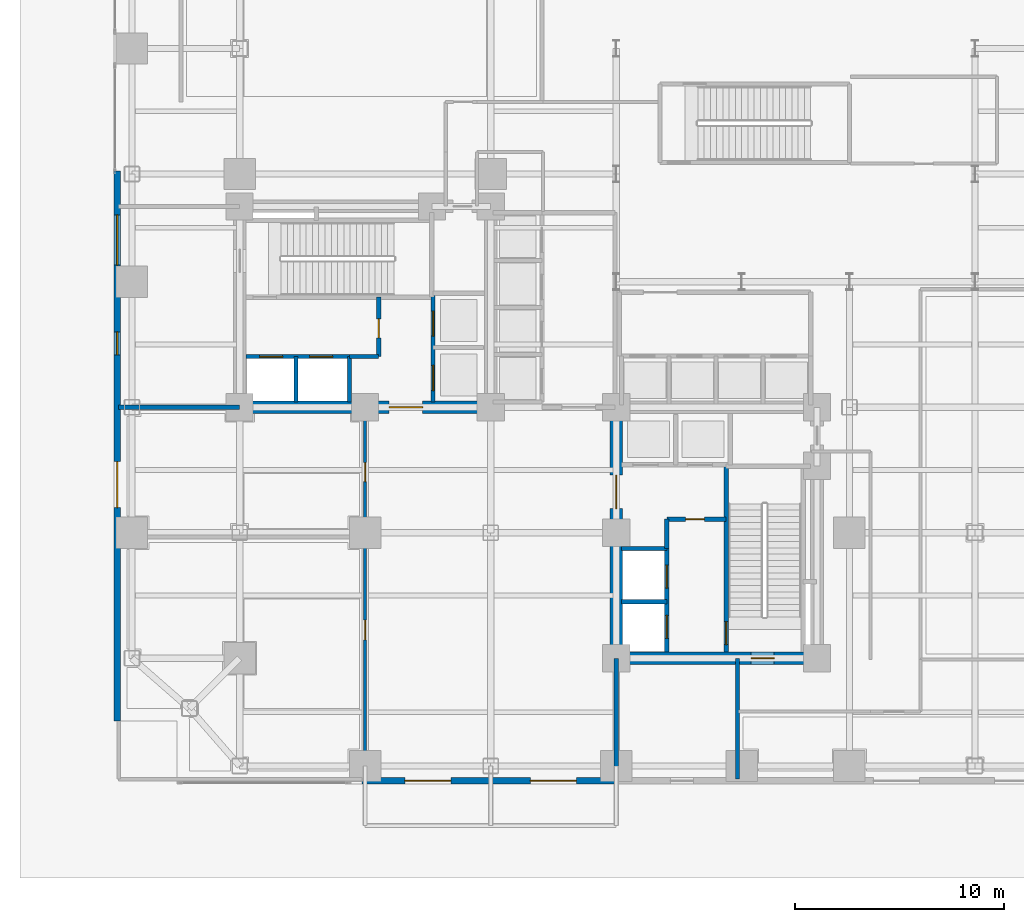
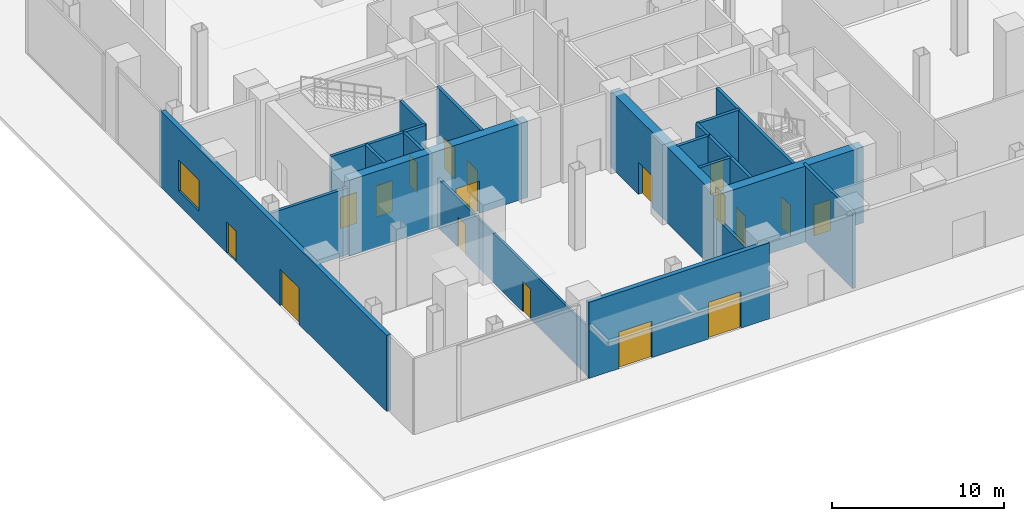
# One storey, part 18 of 27: 21 walls, 18 doors, 1 window, 19 openings.
"""IFC4 building model written with IfcOpenShell, lengths in metres."""

from ifc_helpers import new_model, si_unit, direction, frame, frame_2d, origin, place, context, subcontext, project, spatial, rectangle, extrude, material, layer, layer_set, type_object, element, fill, save


model = new_model("IFC4")

# Units and contexts
model_context = context("Model", 3, precision=1e-05, world=origin(), true_north=direction((0.0, 1.0)))
body_context = subcontext(model_context, "Body", "Model", "MODEL_VIEW")
ifc_project = project(units=[si_unit("LENGTHUNIT", "METRE"), si_unit("AREAUNIT", "SQUARE_METRE"), si_unit("VOLUMEUNIT", "CUBIC_METRE"), si_unit("PLANEANGLEUNIT", "RADIAN"), si_unit("MASSUNIT", "GRAM", prefix="KILO"), si_unit("THERMODYNAMICTEMPERATUREUNIT", "KELVIN"), si_unit("POWERUNIT", "WATT")], contexts=[model_context])

# Site, building, storey
site_placement = place(None, origin())
site = spatial("IfcSite", under=ifc_project, at=site_placement, CompositionType="ELEMENT")
building_placement = place(site_placement, origin())
building = spatial("IfcBuilding", under=site, at=building_placement, Name="Svarakhadi Broadcast Tower", CompositionType="ELEMENT")
storey_placement = place(building_placement, origin())
storey = spatial("IfcBuildingStorey", under=building, at=storey_placement, Name="L00", CompositionType="ELEMENT", Elevation=0.0)

# Wall, openings, doors
ifc_material_1 = material(Name="Concrete C40/50 (IS 456 M50)", Category="concrete")
ifc_layer_1 = layer(ifc_material_1, 0.300048828125)
ifc_layer_set_1 = layer_set([ifc_layer_1], Name="Concrete C40/50 (IS 456 M50)")
wall_type_1 = type_object("IfcWallType", Name="Wall_Ext_300", PredefinedType="SOLIDWALL", material=ifc_layer_set_1)
wall_1_placement = place(storey_placement, frame((24.0, 0.14990234375, 0.0), z_axis=(0.0, 0.0, 1.0), x_axis=(-1.0, 0.0, 0.0)))
wall_1 = element("IfcWall", 1, at=wall_1_placement, inside=storey, type_object=wall_type_1, Name="L00 South Main Broadcast Arrival Portal Wall", PredefinedType="SOLIDWALL", context=body_context, shape_type="SweptSolid", body=[
    extrude(rectangle(XDim=12.14501953125, YDim=0.300048828125, at=frame_2d((6.072509765625, 0.0))), origin(), (0.0, 0.0, 1.0), 5.39990234375),
])
opening_1_placement = place(wall_1_placement, frame((1.89990234375, 0.0, 0.0)))
opening_1 = element("IfcOpeningElement", 2, at=opening_1_placement, cuts=wall_1, Name="Opening ED-01", PredefinedType="OPENING", context=body_context, shape_type="SweptSolid", body=[
    extrude(rectangle(XDim=2.199951171875, YDim=2.60009765625, at=frame_2d((1.10009765625, 1.300048828125))), frame((0.0, 0.159912109375, 0.0), z_axis=(0.0, -1.0, 0.0), x_axis=(1.0, 0.0, 0.0)), (0.0, 0.0, 1.0), 0.320068359375),
])
opening_2_placement = place(wall_1_placement, frame((7.89990234375, 0.0, 0.0)))
opening_2 = element("IfcOpeningElement", 3, at=opening_2_placement, cuts=wall_1, Name="Opening ED-01", PredefinedType="OPENING", context=body_context, shape_type="SweptSolid", body=[
    extrude(rectangle(XDim=2.199951171875, YDim=2.60009765625, at=frame_2d((1.10009765625, 1.300048828125))), frame((0.0, 0.159912109375, 0.0), z_axis=(0.0, -1.0, 0.0), x_axis=(1.0, 0.0, 0.0)), (0.0, 0.0, 1.0), 0.320068359375),
])
ifc_material_2 = material(Name="Anodised Bronze Aluminium AA 6063-T6", Category="aluminium")
door_type_1 = type_object("IfcDoorType", Name="Door_Ext_ED01", OperationType="DOUBLE_DOOR_SINGLE_SWING", PredefinedType="DOOR", material=ifc_material_2)
door_1_placement = place(opening_1_placement, origin())
door_1 = element("IfcDoor", 4, at=door_1_placement, inside=storey, type_object=door_type_1, Name="Main Broadcast Concourse Arrival Entrance Door East", OperationType="DOUBLE_DOOR_SINGLE_SWING", OverallHeight=2.60009765625, OverallWidth=2.199951171875, PredefinedType="DOOR", context=body_context, shape_type="SweptSolid", body=[
    extrude(rectangle(XDim=2.199951171875, YDim=2.60009765625, at=frame_2d((1.10009765625, 1.300048828125))), frame((0.0, 0.02490234375, 0.0), z_axis=(0.0, -1.0, 0.0), x_axis=(1.0, 0.0, 0.0)), (0.0, 0.0, 1.0), 0.050048828125),
])
fill(opening_1, door_1)
door_2_placement = place(opening_2_placement, origin())
door_2 = element("IfcDoor", 5, at=door_2_placement, inside=storey, type_object=door_type_1, Name="Main Broadcast Concourse Arrival Entrance Door West", OperationType="DOUBLE_DOOR_SINGLE_SWING", OverallHeight=2.60009765625, OverallWidth=2.199951171875, PredefinedType="DOOR", context=body_context, shape_type="SweptSolid", body=[
    extrude(rectangle(XDim=2.199951171875, YDim=2.60009765625, at=frame_2d((1.10009765625, 1.300048828125))), frame((0.0, 0.02490234375, 0.0), z_axis=(0.0, -1.0, 0.0), x_axis=(1.0, 0.0, 0.0)), (0.0, 0.0, 1.0), 0.050048828125),
])
fill(opening_2, door_2)

# Wall, openings, doors, window
wall_2_placement = place(storey_placement, frame((0.14990234375, 3.0, 0.0), z_axis=(0.0, 0.0, 1.0), x_axis=(0.0, 1.0, 0.0)))
wall_2 = element("IfcWall", 6, at=wall_2_placement, inside=storey, type_object=wall_type_1, Name="L00 West Street Exit Discharge Wall", PredefinedType="SOLIDWALL", context=body_context, shape_type="SweptSolid", body=[
    extrude(rectangle(XDim=26.294921875, YDim=0.300048828125, at=frame_2d((13.1474609375, 0.0))), origin(), (0.0, 0.0, 1.0), 5.39990234375),
])
opening_3_placement = place(wall_2_placement, frame((10.199951171875, 0.0, 0.0)))
opening_3 = element("IfcOpeningElement", 7, at=opening_3_placement, cuts=wall_2, Name="Opening ED-01", PredefinedType="OPENING", context=body_context, shape_type="SweptSolid", body=[
    extrude(rectangle(XDim=2.199951171875, YDim=2.60009765625, at=frame_2d((1.10009765625, 1.300048828125))), frame((0.0, 0.159912109375, 0.0), z_axis=(0.0, -1.0, 0.0), x_axis=(1.0, 0.0, 0.0)), (0.0, 0.0, 1.0), 0.320068359375),
])
opening_4_placement = place(wall_2_placement, frame((17.5, 0.0, 0.0)))
opening_4 = element("IfcOpeningElement", 8, at=opening_4_placement, cuts=wall_2, Name="Opening ED-04", PredefinedType="OPENING", context=body_context, shape_type="SweptSolid", body=[
    extrude(rectangle(XDim=1.10009765625, YDim=2.199951171875, at=frame_2d((0.550048828125, 1.10009765625))), frame((0.0, 0.159912109375, 0.0), z_axis=(0.0, -1.0, 0.0), x_axis=(1.0, 0.0, 0.0)), (0.0, 0.0, 1.0), 0.320068359375),
])
opening_5_placement = place(wall_2_placement, frame((21.800048828125, 0.0, 1.0)))
opening_5 = element("IfcOpeningElement", 9, at=opening_5_placement, cuts=wall_2, Name="Opening WN-01", PredefinedType="OPENING", context=body_context, shape_type="SweptSolid", body=[
    extrude(rectangle(XDim=2.39990234375, YDim=2.199951171875, at=frame_2d((1.199951171875, 1.10009765625))), frame((0.0, 0.159912109375, 0.0), z_axis=(0.0, -1.0, 0.0), x_axis=(1.0, 0.0, 0.0)), (0.0, 0.0, 1.0), 0.320068359375),
])
door_3_placement = place(opening_3_placement, origin())
door_3 = element("IfcDoor", 10, at=door_3_placement, inside=storey, type_object=door_type_1, Name="West Press Reception Street Exit Door", OperationType="DOUBLE_DOOR_SINGLE_SWING", OverallHeight=2.60009765625, OverallWidth=2.199951171875, PredefinedType="DOOR", context=body_context, shape_type="SweptSolid", body=[
    extrude(rectangle(XDim=2.199951171875, YDim=2.60009765625, at=frame_2d((1.10009765625, 1.300048828125))), frame((0.0, 0.02490234375, 0.0), z_axis=(0.0, -1.0, 0.0), x_axis=(1.0, 0.0, 0.0)), (0.0, 0.0, 1.0), 0.050048828125),
])
fill(opening_3, door_3)
door_type_2 = type_object("IfcDoorType", Name="Door_Ext_ED04", OperationType="SINGLE_SWING_RIGHT", PredefinedType="DOOR", material=ifc_material_2)
door_4_placement = place(opening_4_placement, origin())
door_4 = element("IfcDoor", 11, at=door_4_placement, inside=storey, type_object=door_type_2, Name="West Core Stair ST-01 Final Street Exit Door", OperationType="SINGLE_SWING_RIGHT", OverallHeight=2.199951171875, OverallWidth=1.10009765625, PredefinedType="DOOR", context=body_context, shape_type="SweptSolid", body=[
    extrude(rectangle(XDim=1.10009765625, YDim=2.199951171875, at=frame_2d((0.550048828125, 1.10009765625))), frame((0.0, 0.02490234375, 0.0), z_axis=(0.0, -1.0, 0.0), x_axis=(1.0, 0.0, 0.0)), (0.0, 0.0, 1.0), 0.050048828125),
])
fill(opening_4, door_4)
ifc_material_3 = material(Name="Double Low-E Laminated Acoustic Glass IGU 36 mm", Category="glass")
window_type = type_object("IfcWindowType", Name="Win_Fixed_WN01", PartitioningType="SINGLE_PANEL", PredefinedType="WINDOW", material=ifc_material_3)
window_placement = place(opening_5_placement, origin())
window = element("IfcWindow", 12, at=window_placement, inside=storey, type_object=window_type, Name="L00 West Concourse Fixed Window", OverallHeight=2.199951171875, OverallWidth=2.39990234375, PartitioningType="SINGLE_PANEL", PredefinedType="WINDOW", context=body_context, shape_type="SweptSolid", body=[
    extrude(rectangle(XDim=2.39990234375, YDim=2.199951171875, at=frame_2d((1.199951171875, 1.10009765625))), frame((0.0, 0.030029296875, 0.0), z_axis=(0.0, -1.0, 0.0), x_axis=(1.0, 0.0, 0.0)), (0.0, 0.0, 1.0), 0.06005859375),
])
fill(opening_5, window)

# Walls
ifc_layer_2 = layer(ifc_material_1, 0.199951171875)
ifc_layer_set_2 = layer_set([ifc_layer_2], Name="Concrete C40/50 (IS 456 M50)")
wall_type_2 = type_object("IfcWallType", Name="Wall_Fire_200", PredefinedType="SOLIDWALL", material=ifc_layer_set_2)
wall_3_placement = place(storey_placement, frame((0.219970703125, 18.0, 0.0), z_axis=(0.0, 0.0, 1.0), x_axis=(1.0, 0.0, 0.0)))
element("IfcWall", 13, at=wall_3_placement, inside=storey, type_object=wall_type_2, Name="L00 Exit Passageway West Wall", PredefinedType="SOLIDWALL", context=body_context, shape_type="SweptSolid", body=[
    extrude(rectangle(XDim=5.780029296875, YDim=0.199951171875, at=frame_2d((2.89013671875, 0.0))), origin(), (0.0, 0.0, 1.0), 4.741943359375),
])
wall_4_placement = place(storey_placement, frame((24.0, 0.219970703125, 0.0), z_axis=(0.0, 0.0, 1.0), x_axis=(0.0, 1.0, 0.0)))
element("IfcWall", 14, at=wall_4_placement, inside=storey, type_object=wall_type_2, Name="L00 Exit Passageway East Wall", PredefinedType="SOLIDWALL", context=body_context, shape_type="SweptSolid", body=[
    extrude(rectangle(XDim=5.780029296875, YDim=0.199951171875, at=frame_2d((2.89013671875, 0.0))), origin(), (0.0, 0.0, 1.0), 3.491943359375),
])
wall_5_placement = place(storey_placement, frame((29.800048828125, 0.219970703125, 0.0), z_axis=(0.0, 0.0, 1.0), x_axis=(0.0, 1.0, 0.0)))
element("IfcWall", 15, at=wall_5_placement, inside=storey, type_object=wall_type_2, Name="L00 Exit Passageway East Wall", PredefinedType="SOLIDWALL", context=body_context, shape_type="SweptSolid", body=[
    extrude(rectangle(XDim=5.780029296875, YDim=0.199951171875, at=frame_2d((2.89013671875, 0.0))), origin(), (0.0, 0.0, 1.0), 5.39990234375),
])

# Wall, openings, doors
ifc_material_4 = material(Name="Autoclaved Aerated Concrete Blockwork 150 mm", Category="masonry")
ifc_layer_3 = layer(ifc_material_4, 0.14990234375)
ifc_layer_set_3 = layer_set([ifc_layer_3], Name="Autoclaved Aerated Concrete Blockwork 150 mm")
wall_type_3 = type_object("IfcWallType", Name="Wall_Part_150", PredefinedType="PARTITIONING", material=ifc_layer_set_3)
wall_6_placement = place(storey_placement, frame((12.0, 17.9599609375, 0.0), z_axis=(0.0, 0.0, 1.0), x_axis=(0.0, -1.0, 0.0)))
wall_6 = element("IfcWall", 16, at=wall_6_placement, inside=storey, type_object=wall_type_3, Name="L00 Arrival Foyer West Wall", PredefinedType="PARTITIONING", context=body_context, shape_type="SweptSolid", body=[
    extrude(rectangle(XDim=17.739990234375, YDim=0.14990234375, at=frame_2d((8.8701171875, 0.0))), origin(), (0.0, 0.0, 1.0), 3.491943359375),
])
opening_6_placement = place(wall_6_placement, frame((2.610107421875, 0.0, 0.0)))
opening_6 = element("IfcOpeningElement", 17, at=opening_6_placement, cuts=wall_6, Name="Opening D-04", PredefinedType="OPENING", context=body_context, shape_type="SweptSolid", body=[
    extrude(rectangle(XDim=0.89990234375, YDim=2.14990234375, at=frame_2d((0.449951171875, 1.074951171875))), frame((0.0, 0.0849609375, 0.0), z_axis=(0.0, -1.0, 0.0), x_axis=(1.0, 0.0, 0.0)), (0.0, 0.0, 1.0), 0.169921875),
])
opening_7_placement = place(wall_6_placement, frame((10.135009765625, 0.0, 0.0)))
opening_7 = element("IfcOpeningElement", 18, at=opening_7_placement, cuts=wall_6, Name="Opening D-06", PredefinedType="OPENING", context=body_context, shape_type="SweptSolid", body=[
    extrude(rectangle(XDim=0.949951171875, YDim=2.14990234375, at=frame_2d((0.47509765625, 1.074951171875))), frame((0.0, 0.0849609375, 0.0), z_axis=(0.0, -1.0, 0.0), x_axis=(1.0, 0.0, 0.0)), (0.0, 0.0, 1.0), 0.169921875),
])
ifc_material_5 = material(Name="Galvanised Powder-Coated Fire-Rated Steel Leaf", Category="steel")
door_type_3 = type_object("IfcDoorType", Name="Door_Fire_D04", OperationType="SINGLE_SWING_RIGHT", PredefinedType="DOOR", material=ifc_material_5)
door_5_placement = place(opening_6_placement, origin())
door_5 = element("IfcDoor", 19, at=door_5_placement, inside=storey, type_object=door_type_3, Name="L00 Fire Command and BMS Control Room Door", OperationType="SINGLE_SWING_RIGHT", OverallHeight=2.14990234375, OverallWidth=0.89990234375, PredefinedType="DOOR", context=body_context, shape_type="SweptSolid", body=[
    extrude(rectangle(XDim=0.89990234375, YDim=2.14990234375, at=frame_2d((0.449951171875, 1.074951171875))), frame((0.0, 0.02490234375, 0.0), z_axis=(0.0, -1.0, 0.0), x_axis=(1.0, 0.0, 0.0)), (0.0, 0.0, 1.0), 0.050048828125),
])
fill(opening_6, door_5)
ifc_material_6 = material(Name="Solid-Core Teak Veneer Acoustic Timber Leaf", Category="wood")
door_type_4 = type_object("IfcDoorType", Name="Door_Office_D06", OperationType="SINGLE_SWING_LEFT", PredefinedType="DOOR", material=ifc_material_6)
door_6_placement = place(opening_7_placement, origin())
door_6 = element("IfcDoor", 20, at=door_6_placement, inside=storey, type_object=door_type_4, Name="L00 Accredited Press Reception Lounge Door", OperationType="SINGLE_SWING_LEFT", OverallHeight=2.14990234375, OverallWidth=0.949951171875, PredefinedType="DOOR", context=body_context, shape_type="SweptSolid", body=[
    extrude(rectangle(XDim=0.949951171875, YDim=2.14990234375, at=frame_2d((0.47509765625, 1.074951171875))), frame((0.0, 0.02490234375, 0.0), z_axis=(0.0, -1.0, 0.0), x_axis=(1.0, 0.0, 0.0)), (0.0, 0.0, 1.0), 0.050048828125),
])
fill(opening_7, door_6)

# Wall, opening, door
ifc_material_7 = material(Name="Concrete C50/60 (IS 456 M60)", Category="concrete")
ifc_layer_4 = layer(ifc_material_7, 0.199951171875)
ifc_layer_set_4 = layer_set([ifc_layer_4], Name="Concrete C50/60 (IS 456 M60)")
wall_type_4 = type_object("IfcWallType", Name="Wall_Shear_200", PredefinedType="SHEAR", material=ifc_layer_set_4)
wall_7_placement = place(storey_placement, frame((29.260009765625, 6.300048828125, 0.0), z_axis=(0.0, 0.0, 1.0), x_axis=(0.0, 1.0, 0.0)))
wall_7 = element("IfcWall", 21, at=wall_7_placement, inside=storey, type_object=wall_type_4, Name="L00 Stair ST-02 West RC Shaft Wall", PredefinedType="SHEAR", context=body_context, shape_type="SweptSolid", body=[
    extrude(rectangle(XDim=8.8798828125, YDim=0.199951171875, at=frame_2d((4.43994140625, 0.0))), origin(), (0.0, 0.0, 1.0), 5.39990234375),
])
opening_8_placement = place(wall_7_placement, frame((0.35009765625, 0.0, 0.0)))
opening_8 = element("IfcOpeningElement", 22, at=opening_8_placement, cuts=wall_7, Name="Opening D-02", PredefinedType="OPENING", context=body_context, shape_type="SweptSolid", body=[
    extrude(rectangle(XDim=1.10009765625, YDim=2.199951171875, at=frame_2d((0.550048828125, 1.10009765625))), frame((0.0, 0.10986328125, 0.0), z_axis=(0.0, -1.0, 0.0), x_axis=(1.0, 0.0, 0.0)), (0.0, 0.0, 1.0), 0.219970703125),
])
door_type_5 = type_object("IfcDoorType", Name="Door_Stair_D02", OperationType="SINGLE_SWING_RIGHT", PredefinedType="DOOR", material=ifc_material_5)
door_7_placement = place(opening_8_placement, origin())
door_7 = element("IfcDoor", 23, at=door_7_placement, inside=storey, type_object=door_type_5, Name="L00 Protected Exit Stair ST-02 Fire Door", OperationType="SINGLE_SWING_RIGHT", OverallHeight=2.199951171875, OverallWidth=1.10009765625, PredefinedType="DOOR", context=body_context, shape_type="SweptSolid", body=[
    extrude(rectangle(XDim=1.10009765625, YDim=2.199951171875, at=frame_2d((0.550048828125, 1.10009765625))), frame((0.0, 0.02490234375, 0.0), z_axis=(0.0, -1.0, 0.0), x_axis=(1.0, 0.0, 0.0)), (0.0, 0.0, 1.0), 0.050048828125),
])
fill(opening_8, door_7)

# Wall, openings, doors
wall_8_placement = place(storey_placement, frame((6.300048828125, 20.419921875, 0.0), z_axis=(0.0, 0.0, 1.0), x_axis=(1.0, 0.0, 0.0)))
wall_8 = element("IfcWall", 24, at=wall_8_placement, inside=storey, type_object=wall_type_4, Name="L00 Firefighting Lift LF-01/02 Shaft Wall", PredefinedType="SHEAR", context=body_context, shape_type="SweptSolid", body=[
    extrude(rectangle(XDim=4.949951171875, YDim=0.199951171875, at=frame_2d((2.47509765625, 0.0))), origin(), (0.0, 0.0, 1.0), 5.39990234375),
])
opening_9_placement = place(wall_8_placement, frame((0.64990234375, 0.0, 0.0)))
opening_9 = element("IfcOpeningElement", 25, at=opening_9_placement, cuts=wall_8, Name="Opening LD-01", PredefinedType="OPENING", context=body_context, shape_type="SweptSolid", body=[
    extrude(rectangle(XDim=1.10009765625, YDim=2.199951171875, at=frame_2d((0.550048828125, 1.10009765625))), frame((0.0, 0.10986328125, 0.0), z_axis=(0.0, -1.0, 0.0), x_axis=(1.0, 0.0, 0.0)), (0.0, 0.0, 1.0), 0.219970703125),
])
opening_10_placement = place(wall_8_placement, frame((3.050048828125, 0.0, 0.0)))
opening_10 = element("IfcOpeningElement", 26, at=opening_10_placement, cuts=wall_8, Name="Opening LD-01", PredefinedType="OPENING", context=body_context, shape_type="SweptSolid", body=[
    extrude(rectangle(XDim=1.10009765625, YDim=2.199951171875, at=frame_2d((0.550048828125, 1.10009765625))), frame((0.0, 0.10986328125, 0.0), z_axis=(0.0, -1.0, 0.0), x_axis=(1.0, 0.0, 0.0)), (0.0, 0.0, 1.0), 0.219970703125),
])
door_type_6 = type_object("IfcDoorType", Name="Door_Lift_LD01", OperationType="SLIDING_TO_LEFT", PredefinedType="DOOR", material=ifc_material_5)
door_8_placement = place(opening_9_placement, origin())
door_8 = element("IfcDoor", 27, at=door_8_placement, inside=storey, type_object=door_type_6, Name="L00 Firefighting Lift LF-01 Landing Door", OperationType="SLIDING_TO_LEFT", OverallHeight=2.199951171875, OverallWidth=1.10009765625, PredefinedType="DOOR", context=body_context, shape_type="SweptSolid", body=[
    extrude(rectangle(XDim=1.10009765625, YDim=2.199951171875, at=frame_2d((0.550048828125, 1.10009765625))), frame((0.0, 0.02490234375, 0.0), z_axis=(0.0, -1.0, 0.0), x_axis=(1.0, 0.0, 0.0)), (0.0, 0.0, 1.0), 0.050048828125),
])
fill(opening_9, door_8)
door_9_placement = place(opening_10_placement, origin())
door_9 = element("IfcDoor", 28, at=door_9_placement, inside=storey, type_object=door_type_6, Name="L00 Firefighting Lift LF-02 Landing Door", OperationType="SLIDING_TO_LEFT", OverallHeight=2.199951171875, OverallWidth=1.10009765625, PredefinedType="DOOR", context=body_context, shape_type="SweptSolid", body=[
    extrude(rectangle(XDim=1.10009765625, YDim=2.199951171875, at=frame_2d((0.550048828125, 1.10009765625))), frame((0.0, 0.02490234375, 0.0), z_axis=(0.0, -1.0, 0.0), x_axis=(1.0, 0.0, 0.0)), (0.0, 0.0, 1.0), 0.050048828125),
])
fill(opening_10, door_9)

# Walls
for number, where, z_axis, x_axis, name in (
    (29, (8.699951171875, 18.25, 0.0), (0.0, 0.0, 1.0), (0.0, 1.0, 0.0), "L00 Firefighting Lift LF-01/02 Divider Wall"),
    (30, (11.25, 18.25, 0.0), (0.0, 0.0, 1.0), (0.0, 1.0, 0.0), "L00 Firefighting Lift LF-02 East Wall"),
):
    element("IfcWall", number, at=place(storey_placement, frame(where, z_axis=z_axis, x_axis=x_axis)), inside=storey, type_object=wall_type_4, Name=name, PredefinedType="SHEAR", context=body_context, shape_type="SweptSolid", body=[
        extrude(rectangle(XDim=2.169921875, YDim=0.199951171875, at=frame_2d((1.0849609375, 0.0))), origin(), (0.0, 0.0, 1.0), 5.39990234375),
    ])
wall_9_placement = place(storey_placement, frame((11.25, 20.419921875, 0.0), z_axis=(0.0, 0.0, 1.0), x_axis=(1.0, 0.0, 0.0)))
element("IfcWall", 31, at=wall_9_placement, inside=storey, type_object=wall_type_4, Name="L00 West Firefighting Lobby South Wall", PredefinedType="SHEAR", context=body_context, shape_type="SweptSolid", body=[
    extrude(rectangle(XDim=1.39990234375, YDim=0.199951171875, at=frame_2d((0.699951171875, 0.0))), origin(), (0.0, 0.0, 1.0), 5.39990234375),
])

# Wall, opening, door
wall_10_placement = place(storey_placement, frame((12.64990234375, 20.419921875, 0.0), z_axis=(0.0, 0.0, 1.0), x_axis=(0.0, 1.0, 0.0)))
wall_10 = element("IfcWall", 32, at=wall_10_placement, inside=storey, type_object=wall_type_4, Name="L00 West Firefighting Lobby East Wall", PredefinedType="SHEAR", context=body_context, shape_type="SweptSolid", body=[
    extrude(rectangle(XDim=2.840087890625, YDim=0.199951171875, at=frame_2d((1.419921875, 0.0))), origin(), (0.0, 0.0, 1.0), 5.39990234375),
])
opening_11_placement = place(wall_10_placement, frame((0.89990234375, 0.0, 0.0)))
opening_11 = element("IfcOpeningElement", 33, at=opening_11_placement, cuts=wall_10, Name="Opening D-04", PredefinedType="OPENING", context=body_context, shape_type="SweptSolid", body=[
    extrude(rectangle(XDim=0.89990234375, YDim=2.14990234375, at=frame_2d((0.449951171875, 1.074951171875))), frame((0.0, 0.10986328125, 0.0), z_axis=(0.0, -1.0, 0.0), x_axis=(1.0, 0.0, 0.0)), (0.0, 0.0, 1.0), 0.219970703125),
])
door_10_placement = place(opening_11_placement, origin())
door_10 = element("IfcDoor", 34, at=door_10_placement, inside=storey, type_object=door_type_3, Name="L00 West Firefighting Lobby Fire Door", OperationType="SINGLE_SWING_RIGHT", OverallHeight=2.14990234375, OverallWidth=0.89990234375, PredefinedType="DOOR", context=body_context, shape_type="SweptSolid", body=[
    extrude(rectangle(XDim=0.89990234375, YDim=2.14990234375, at=frame_2d((0.449951171875, 1.074951171875))), frame((0.0, 0.02490234375, 0.0), z_axis=(0.0, -1.0, 0.0), x_axis=(1.0, 0.0, 0.0)), (0.0, 0.0, 1.0), 0.050048828125),
])
fill(opening_11, door_10)

# Wall, openings, doors
wall_11_placement = place(storey_placement, frame((26.419921875, 6.300048828125, 0.0), z_axis=(0.0, 0.0, 1.0), x_axis=(0.0, 1.0, 0.0)))
wall_11 = element("IfcWall", 35, at=wall_11_placement, inside=storey, type_object=wall_type_4, Name="L00 Firefighting Lift LF-03/04 Shaft Wall", PredefinedType="SHEAR", context=body_context, shape_type="SweptSolid", body=[
    extrude(rectangle(XDim=4.949951171875, YDim=0.199951171875, at=frame_2d((2.47509765625, 0.0))), origin(), (0.0, 0.0, 1.0), 5.39990234375),
])
opening_12_placement = place(wall_11_placement, frame((0.64990234375, 0.0, 0.0)))
opening_12 = element("IfcOpeningElement", 36, at=opening_12_placement, cuts=wall_11, Name="Opening LD-01", PredefinedType="OPENING", context=body_context, shape_type="SweptSolid", body=[
    extrude(rectangle(XDim=1.10009765625, YDim=2.199951171875, at=frame_2d((0.550048828125, 1.10009765625))), frame((0.0, 0.10986328125, 0.0), z_axis=(0.0, -1.0, 0.0), x_axis=(1.0, 0.0, 0.0)), (0.0, 0.0, 1.0), 0.219970703125),
])
opening_13_placement = place(wall_11_placement, frame((3.050048828125, 0.0, 0.0)))
opening_13 = element("IfcOpeningElement", 37, at=opening_13_placement, cuts=wall_11, Name="Opening LD-01", PredefinedType="OPENING", context=body_context, shape_type="SweptSolid", body=[
    extrude(rectangle(XDim=1.10009765625, YDim=2.199951171875, at=frame_2d((0.550048828125, 1.10009765625))), frame((0.0, 0.10986328125, 0.0), z_axis=(0.0, -1.0, 0.0), x_axis=(1.0, 0.0, 0.0)), (0.0, 0.0, 1.0), 0.219970703125),
])
door_11_placement = place(opening_12_placement, origin())
door_11 = element("IfcDoor", 38, at=door_11_placement, inside=storey, type_object=door_type_6, Name="L00 Firefighting Lift LF-03 Landing Door", OperationType="SLIDING_TO_LEFT", OverallHeight=2.199951171875, OverallWidth=1.10009765625, PredefinedType="DOOR", context=body_context, shape_type="SweptSolid", body=[
    extrude(rectangle(XDim=1.10009765625, YDim=2.199951171875, at=frame_2d((0.550048828125, 1.10009765625))), frame((0.0, 0.02490234375, 0.0), z_axis=(0.0, -1.0, 0.0), x_axis=(1.0, 0.0, 0.0)), (0.0, 0.0, 1.0), 0.050048828125),
])
fill(opening_12, door_11)
door_12_placement = place(opening_13_placement, origin())
door_12 = element("IfcDoor", 39, at=door_12_placement, inside=storey, type_object=door_type_6, Name="L00 Firefighting Lift LF-04 Landing Door", OperationType="SLIDING_TO_LEFT", OverallHeight=2.199951171875, OverallWidth=1.10009765625, PredefinedType="DOOR", context=body_context, shape_type="SweptSolid", body=[
    extrude(rectangle(XDim=1.10009765625, YDim=2.199951171875, at=frame_2d((0.550048828125, 1.10009765625))), frame((0.0, 0.02490234375, 0.0), z_axis=(0.0, -1.0, 0.0), x_axis=(1.0, 0.0, 0.0)), (0.0, 0.0, 1.0), 0.050048828125),
])
fill(opening_13, door_12)

# Walls
for number, where, z_axis, x_axis, name in (
    (40, (24.25, 8.699951171875, 0.0), (0.0, 0.0, 1.0), (1.0, 0.0, 0.0), "L00 Firefighting Lift LF-03/04 Divider Wall"),
    (41, (24.25, 11.25, 0.0), (0.0, 0.0, 1.0), (1.0, 0.0, 0.0), "L00 Firefighting Lift LF-04 North Wall"),
):
    element("IfcWall", number, at=place(storey_placement, frame(where, z_axis=z_axis, x_axis=x_axis)), inside=storey, type_object=wall_type_4, Name=name, PredefinedType="SHEAR", context=body_context, shape_type="SweptSolid", body=[
        extrude(rectangle(XDim=2.169921875, YDim=0.199951171875, at=frame_2d((1.0849609375, 0.0))), origin(), (0.0, 0.0, 1.0), 5.39990234375),
    ])
wall_12_placement = place(storey_placement, frame((26.419921875, 11.25, 0.0), z_axis=(0.0, 0.0, 1.0), x_axis=(0.0, 1.0, 0.0)))
element("IfcWall", 42, at=wall_12_placement, inside=storey, type_object=wall_type_4, Name="L00 East Firefighting Lobby West Wall", PredefinedType="SHEAR", context=body_context, shape_type="SweptSolid", body=[
    extrude(rectangle(XDim=1.39990234375, YDim=0.199951171875, at=frame_2d((0.699951171875, 0.0))), origin(), (0.0, 0.0, 1.0), 5.39990234375),
])

# Wall, opening, door
wall_13_placement = place(storey_placement, frame((26.419921875, 12.64990234375, 0.0), z_axis=(0.0, 0.0, 1.0), x_axis=(1.0, 0.0, 0.0)))
wall_13 = element("IfcWall", 43, at=wall_13_placement, inside=storey, type_object=wall_type_4, Name="L00 East Firefighting Lobby North Wall", PredefinedType="SHEAR", context=body_context, shape_type="SweptSolid", body=[
    extrude(rectangle(XDim=2.840087890625, YDim=0.199951171875, at=frame_2d((1.419921875, 0.0))), origin(), (0.0, 0.0, 1.0), 5.39990234375),
])
opening_14_placement = place(wall_13_placement, frame((0.89990234375, 0.0, 0.0)))
opening_14 = element("IfcOpeningElement", 44, at=opening_14_placement, cuts=wall_13, Name="Opening D-03", PredefinedType="OPENING", context=body_context, shape_type="SweptSolid", body=[
    extrude(rectangle(XDim=0.89990234375, YDim=2.14990234375, at=frame_2d((0.449951171875, 1.074951171875))), frame((0.0, 0.10986328125, 0.0), z_axis=(0.0, -1.0, 0.0), x_axis=(1.0, 0.0, 0.0)), (0.0, 0.0, 1.0), 0.219970703125),
])
door_type_7 = type_object("IfcDoorType", Name="Door_Fire_D03", OperationType="SINGLE_SWING_LEFT", PredefinedType="DOOR", material=ifc_material_5)
door_13_placement = place(opening_14_placement, origin())
door_13 = element("IfcDoor", 45, at=door_13_placement, inside=storey, type_object=door_type_7, Name="L00 East Firefighting Lobby Fire Door", OperationType="SINGLE_SWING_LEFT", OverallHeight=2.14990234375, OverallWidth=0.89990234375, PredefinedType="DOOR", context=body_context, shape_type="SweptSolid", body=[
    extrude(rectangle(XDim=0.89990234375, YDim=2.14990234375, at=frame_2d((0.449951171875, 1.074951171875))), frame((0.0, 0.02490234375, 0.0), z_axis=(0.0, -1.0, 0.0), x_axis=(1.0, 0.0, 0.0)), (0.0, 0.0, 1.0), 0.050048828125),
])
fill(opening_14, door_13)

# Wall, openings, doors
wall_14_placement = place(storey_placement, frame((15.25, 18.25, 0.0), z_axis=(0.0, 0.0, 1.0), x_axis=(0.0, 1.0, 0.0)))
wall_14 = element("IfcWall", 46, at=wall_14_placement, inside=storey, type_object=wall_type_4, Name="L00 High-Rise Lift LF-13/14 West Shaft Wall", PredefinedType="SHEAR", context=body_context, shape_type="SweptSolid", body=[
    extrude(rectangle(XDim=5.199951171875, YDim=0.199951171875, at=frame_2d((2.60009765625, 0.0))), origin(), (0.0, 0.0, 1.0), 5.39990234375),
])
opening_15_placement = place(wall_14_placement, frame((0.550048828125, 0.0, 0.0)))
opening_15 = element("IfcOpeningElement", 47, at=opening_15_placement, cuts=wall_14, Name="Opening LD-02", PredefinedType="OPENING", context=body_context, shape_type="SweptSolid", body=[
    extrude(rectangle(XDim=1.199951171875, YDim=2.199951171875, at=frame_2d((0.60009765625, 1.10009765625))), frame((0.0, 0.10986328125, 0.0), z_axis=(0.0, -1.0, 0.0), x_axis=(1.0, 0.0, 0.0)), (0.0, 0.0, 1.0), 0.219970703125),
])
opening_16_placement = place(wall_14_placement, frame((3.14990234375, 0.0, 0.0)))
opening_16 = element("IfcOpeningElement", 48, at=opening_16_placement, cuts=wall_14, Name="Opening LD-02", PredefinedType="OPENING", context=body_context, shape_type="SweptSolid", body=[
    extrude(rectangle(XDim=1.199951171875, YDim=2.199951171875, at=frame_2d((0.60009765625, 1.10009765625))), frame((0.0, 0.10986328125, 0.0), z_axis=(0.0, -1.0, 0.0), x_axis=(1.0, 0.0, 0.0)), (0.0, 0.0, 1.0), 0.219970703125),
])
door_type_8 = type_object("IfcDoorType", Name="Door_Lift_LD02", OperationType="SLIDING_TO_RIGHT", PredefinedType="DOOR", material=ifc_material_5)
door_14_placement = place(opening_15_placement, origin())
door_14 = element("IfcDoor", 49, at=door_14_placement, inside=storey, type_object=door_type_8, Name="L00 High-Rise Lift LF-13 Landing Door", OperationType="SLIDING_TO_RIGHT", OverallHeight=2.199951171875, OverallWidth=1.199951171875, PredefinedType="DOOR", context=body_context, shape_type="SweptSolid", body=[
    extrude(rectangle(XDim=1.199951171875, YDim=2.199951171875, at=frame_2d((0.60009765625, 1.10009765625))), frame((0.0, 0.02490234375, 0.0), z_axis=(0.0, -1.0, 0.0), x_axis=(1.0, 0.0, 0.0)), (0.0, 0.0, 1.0), 0.050048828125),
])
fill(opening_15, door_14)
door_15_placement = place(opening_16_placement, origin())
door_15 = element("IfcDoor", 50, at=door_15_placement, inside=storey, type_object=door_type_8, Name="L00 High-Rise Lift LF-14 Landing Door", OperationType="SLIDING_TO_RIGHT", OverallHeight=2.199951171875, OverallWidth=1.199951171875, PredefinedType="DOOR", context=body_context, shape_type="SweptSolid", body=[
    extrude(rectangle(XDim=1.199951171875, YDim=2.199951171875, at=frame_2d((0.60009765625, 1.10009765625))), frame((0.0, 0.02490234375, 0.0), z_axis=(0.0, -1.0, 0.0), x_axis=(1.0, 0.0, 0.0)), (0.0, 0.0, 1.0), 0.050048828125),
])
fill(opening_16, door_15)

# Wall, opening, door
ifc_material_8 = material(Name="Concrete C60/75 (IS 456 M70)", Category="concrete")
ifc_layer_5 = layer(ifc_material_8, 0.60009765625)
ifc_layer_set_5 = layer_set([ifc_layer_5], Name="Concrete C60/75 (IS 456 M70)")
wall_type_5 = type_object("IfcWallType", Name="Wall_Shear_600", PredefinedType="SHEAR", material=ifc_layer_set_5)
wall_15_placement = place(storey_placement, frame((6.0, 18.0, 0.0), z_axis=(0.0, 0.0, 1.0), x_axis=(1.0, 0.0, 0.0)))
wall_15 = element("IfcWall", 51, at=wall_15_placement, inside=storey, type_object=wall_type_5, Name="L00 West Core South Shear Wall", PredefinedType="SHEAR", context=body_context, shape_type="SweptSolid", body=[
    extrude(rectangle(XDim=12.0, YDim=0.60009765625, at=frame_2d((6.0, 0.0))), origin(), (0.0, 0.0, 1.0), 5.39990234375),
])
opening_17_placement = place(wall_15_placement, frame((7.14990234375, 0.0, 0.0)))
opening_17 = element("IfcOpeningElement", 52, at=opening_17_placement, cuts=wall_15, Name="Opening D-05", PredefinedType="OPENING", context=body_context, shape_type="SweptSolid", body=[
    extrude(rectangle(XDim=1.60009765625, YDim=2.300048828125, at=frame_2d((0.800048828125, 1.14990234375))), frame((0.0, 0.31005859375, 0.0), z_axis=(0.0, -1.0, 0.0), x_axis=(1.0, 0.0, 0.0)), (0.0, 0.0, 1.0), 0.6201171875),
])
door_type_9 = type_object("IfcDoorType", Name="Door_Lobby_D05", OperationType="DOUBLE_DOOR_SLIDING", PredefinedType="DOOR", material=ifc_material_2)
door_16_placement = place(opening_17_placement, origin())
door_16 = element("IfcDoor", 53, at=door_16_placement, inside=storey, type_object=door_type_9, Name="L00 West Core Passenger Lift Lobby Entrance Door", OperationType="DOUBLE_DOOR_SLIDING", OverallHeight=2.300048828125, OverallWidth=1.60009765625, PredefinedType="DOOR", context=body_context, shape_type="SweptSolid", body=[
    extrude(rectangle(XDim=1.60009765625, YDim=2.300048828125, at=frame_2d((0.800048828125, 1.14990234375))), frame((0.0, 0.02490234375, 0.0), z_axis=(0.0, -1.0, 0.0), x_axis=(1.0, 0.0, 0.0)), (0.0, 0.0, 1.0), 0.050048828125),
])
fill(opening_17, door_16)

wall_16_placement = place(storey_placement, frame((24.0, 6.0, 0.0), z_axis=(0.0, 0.0, 1.0), x_axis=(1.0, 0.0, 0.0)))
wall_16 = element("IfcWall", 54, at=wall_16_placement, inside=storey, type_object=wall_type_5, Name="L00 East Core South Shear Wall", PredefinedType="SHEAR", context=body_context, shape_type="SweptSolid", body=[
    extrude(rectangle(XDim=9.60009765625, YDim=0.60009765625, at=frame_2d((4.800048828125, 0.0))), origin(), (0.0, 0.0, 1.0), 5.39990234375),
])
opening_18_placement = place(wall_16_placement, frame((6.449951171875, 0.0, 0.0)))
opening_18 = element("IfcOpeningElement", 55, at=opening_18_placement, cuts=wall_16, Name="Opening D-01", PredefinedType="OPENING", context=body_context, shape_type="SweptSolid", body=[
    extrude(rectangle(XDim=1.10009765625, YDim=2.199951171875, at=frame_2d((0.550048828125, 1.10009765625))), frame((0.0, 0.31005859375, 0.0), z_axis=(0.0, -1.0, 0.0), x_axis=(1.0, 0.0, 0.0)), (0.0, 0.0, 1.0), 0.6201171875),
])
door_type_10 = type_object("IfcDoorType", Name="Door_Stair_D01", OperationType="SINGLE_SWING_LEFT", PredefinedType="DOOR", material=ifc_material_5)
door_17_placement = place(opening_18_placement, origin())
door_17 = element("IfcDoor", 56, at=door_17_placement, inside=storey, type_object=door_type_10, Name="L00 Stair ST-02 Final Discharge Door", OperationType="SINGLE_SWING_LEFT", OverallHeight=2.199951171875, OverallWidth=1.10009765625, PredefinedType="DOOR", context=body_context, shape_type="SweptSolid", body=[
    extrude(rectangle(XDim=1.10009765625, YDim=2.199951171875, at=frame_2d((0.550048828125, 1.10009765625))), frame((0.0, 0.02490234375, 0.0), z_axis=(0.0, -1.0, 0.0), x_axis=(1.0, 0.0, 0.0)), (0.0, 0.0, 1.0), 0.050048828125),
])
fill(opening_18, door_17)

wall_17_placement = place(storey_placement, frame((24.0, 6.0, 0.0), z_axis=(0.0, 0.0, 1.0), x_axis=(0.0, 1.0, 0.0)))
wall_17 = element("IfcWall", 57, at=wall_17_placement, inside=storey, type_object=wall_type_5, Name="L00 East Core West Shear Wall", PredefinedType="SHEAR", context=body_context, shape_type="SweptSolid", body=[
    extrude(rectangle(XDim=12.0, YDim=0.60009765625, at=frame_2d((6.0, 0.0))), origin(), (0.0, 0.0, 1.0), 5.39990234375),
])
opening_19_placement = place(wall_17_placement, frame((7.14990234375, 0.0, 0.0)))
opening_19 = element("IfcOpeningElement", 58, at=opening_19_placement, cuts=wall_17, Name="Opening D-05", PredefinedType="OPENING", context=body_context, shape_type="SweptSolid", body=[
    extrude(rectangle(XDim=1.60009765625, YDim=2.300048828125, at=frame_2d((0.800048828125, 1.14990234375))), frame((0.0, 0.31005859375, 0.0), z_axis=(0.0, -1.0, 0.0), x_axis=(1.0, 0.0, 0.0)), (0.0, 0.0, 1.0), 0.6201171875),
])
door_18_placement = place(opening_19_placement, origin())
door_18 = element("IfcDoor", 59, at=door_18_placement, inside=storey, type_object=door_type_9, Name="L00 East Core Passenger Lift Lobby Entrance Door", OperationType="DOUBLE_DOOR_SLIDING", OverallHeight=2.300048828125, OverallWidth=1.60009765625, PredefinedType="DOOR", context=body_context, shape_type="SweptSolid", body=[
    extrude(rectangle(XDim=1.60009765625, YDim=2.300048828125, at=frame_2d((0.800048828125, 1.14990234375))), frame((0.0, 0.02490234375, 0.0), z_axis=(0.0, -1.0, 0.0), x_axis=(1.0, 0.0, 0.0)), (0.0, 0.0, 1.0), 0.050048828125),
])
fill(opening_19, door_18)

save(model, "model.ifc")
